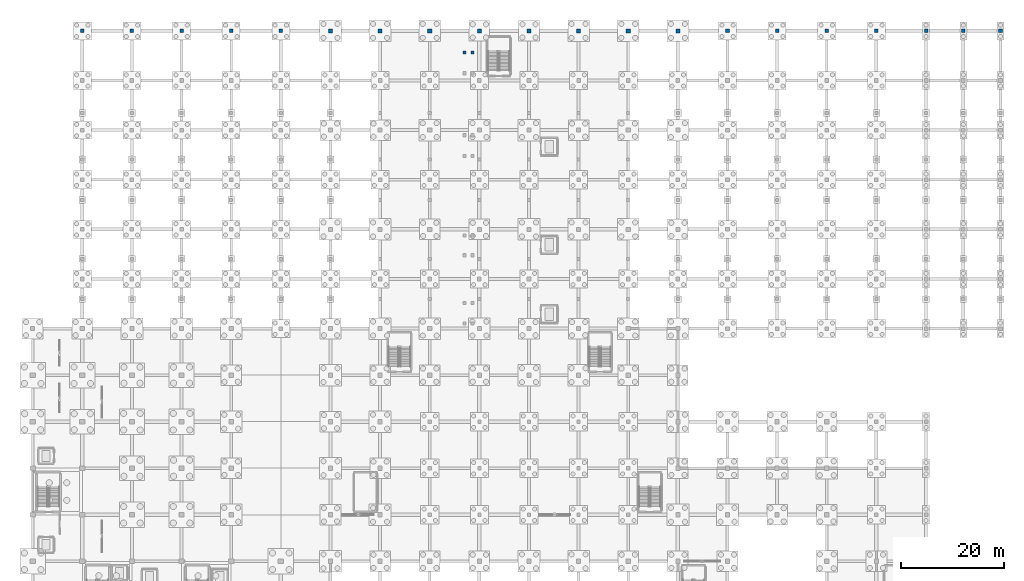
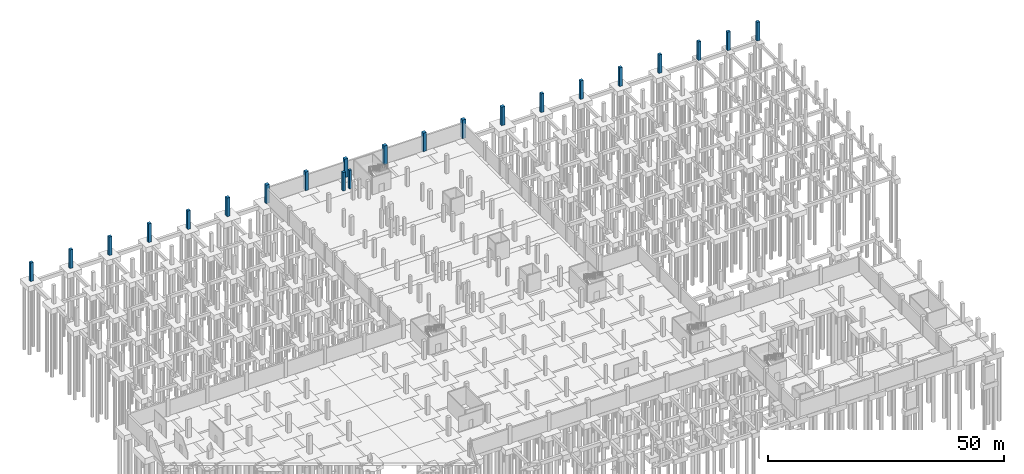
# One storey, part 21 of 39: 22 columns.
"""IFC4 building model written with IfcOpenShell, lengths in metres."""

import ifcopenshell
import ifcopenshell.guid

model = None  # the IFC model being written
_history = None  # IfcOwnerHistory: only IFC2X3 demands one
_inside = {}  # id of a spatial element -> (the spatial element, [elements in it])
_under = {}  # id of a project, library or spatial element -> (it, [spatial elements below it])
_declared = {}  # id of a project -> (the project, [libraries it declares])
_typed = {}  # id of a type object -> (the type object, [elements of that type])
_made_of = {}  # id of a material, layer set ... -> (it, [elements and type objects made of it])


def new_model(schema):
    """Start an empty IFC model of exactly this schema.

    Asked for "IFC4X3", IfcOpenShell would pick the latest addendum, in which some entities
    have other attributes; the version numbers below select the first issue.
    IFC2X3 requires an IfcOwnerHistory on every rooted entity: one is made here for all.
    """
    global model, _history
    if schema == "IFC4X3":
        model = ifcopenshell.file(schema_version=(4, 3, 0, 0))
    else:
        model = ifcopenshell.file(schema=schema)
    _inside.clear()
    _under.clear()
    _declared.clear()
    _typed.clear()
    _made_of.clear()
    _history = None
    if model.schema == "IFC2X3":
        org = make("IfcOrganization", Name="unknown")
        user = make(
            "IfcPersonAndOrganization",
            ThePerson=make("IfcPerson", FamilyName="unknown"),
            TheOrganization=org,
        )
        app = make(
            "IfcApplication",
            ApplicationDeveloper=org,
            Version="unknown",
            ApplicationFullName="unknown",
            ApplicationIdentifier="unknown",
        )
        _history = make(
            "IfcOwnerHistory",
            OwningUser=user,
            OwningApplication=app,
            ChangeAction="ADDED",
            CreationDate=0,
        )
    return model


def make(cls, **values):
    """One entity of the class cls with the attributes given. An attribute that is None is left unset."""
    return model.create_entity(
        cls, **{name: value for name, value in values.items() if value is not None}
    )


def rooted(cls, **values):
    """An entity with a GlobalId (a new one), such as an element, a storey or a relation."""
    return make(cls, GlobalId=ifcopenshell.guid.new(), OwnerHistory=_history, **values)


def si_unit(unit_type, name, prefix=None):
    """IfcSIUnit, for example si_unit("LENGTHUNIT", "METRE", prefix="MILLI")."""
    return make("IfcSIUnit", UnitType=unit_type, Prefix=prefix, Name=name)


def assignment(units):
    """IfcUnitAssignment: the units of a project."""
    return None if units is None else make("IfcUnitAssignment", Units=units)


def point(xyz):
    """IfcCartesianPoint."""
    return None if xyz is None else make("IfcCartesianPoint", Coordinates=xyz)


def direction(xyz):
    """IfcDirection."""
    return None if xyz is None else make("IfcDirection", DirectionRatios=xyz)


def frame(location, z_axis=None, x_axis=None):
    """IfcAxis2Placement3D, a coordinate frame: its origin and axes. An axis left out is left unset."""
    return make(
        "IfcAxis2Placement3D",
        Location=point(location),
        Axis=direction(z_axis),
        RefDirection=direction(x_axis),
    )


def frame_2d(location, x_axis=None):
    """IfcAxis2Placement2D, a coordinate frame in the plane: its origin and x axis."""
    return make(
        "IfcAxis2Placement2D", Location=point(location), RefDirection=direction(x_axis)
    )


def origin():
    """The frame at (0, 0, 0) with its axes left unset."""
    return frame((0.0, 0.0, 0.0))


def origin_2d():
    """The frame at (0, 0) in the plane with its x axis left unset."""
    return frame_2d((0.0, 0.0))


def place(relative_to, where):
    """IfcLocalPlacement: puts the frame where relative to a parent placement (None: the world)."""
    return make(
        "IfcLocalPlacement", PlacementRelTo=relative_to, RelativePlacement=where
    )


def context(
    kind, dimensions, precision=None, world=None, true_north=None, identifier=None
):
    """IfcGeometricRepresentationContext, for example the 3D "Model" context."""
    return make(
        "IfcGeometricRepresentationContext",
        ContextIdentifier=identifier,
        ContextType=kind,
        CoordinateSpaceDimension=dimensions,
        Precision=precision,
        WorldCoordinateSystem=world,
        TrueNorth=true_north,
    )


def subcontext(parent, identifier, kind, view, scale=None):
    """IfcGeometricRepresentationSubContext, for example "Body" below "Model"."""
    return make(
        "IfcGeometricRepresentationSubContext",
        ContextIdentifier=identifier,
        ContextType=kind,
        ParentContext=parent,
        TargetScale=scale,
        TargetView=view,
    )


def project(units=None, contexts=None):
    """IfcProject with its units and contexts."""
    return rooted(
        "IfcProject",
        Name="project",
        RepresentationContexts=contexts,
        UnitsInContext=assignment(units),
    )


def spatial(cls, under=None, at=None, **own):
    """A site, building, storey or space (cls), placed at a placement, below another one or the project."""
    s = rooted(cls, ObjectPlacement=at, **own)
    if under is not None:
        _under.setdefault(under.id(), (under, []))[1].append(s)
    return s


def profile(cls, at=None, kind="AREA", **sizes):
    """A parametric profile (cls). Its sizes go by their IFC names, for example OverallWidth=200.0."""
    return make(cls, ProfileType=kind, Position=at, **sizes)


def rectangle(**sizes):
    """IfcRectangleProfileDef."""
    return profile("IfcRectangleProfileDef", **sizes)


def extrude(swept, where, along, depth):
    """IfcExtrudedAreaSolid: the profile swept, set in the frame where, extruded along a direction by depth."""
    return make(
        "IfcExtrudedAreaSolid",
        SweptArea=swept,
        Position=where,
        ExtrudedDirection=direction(along),
        Depth=depth,
    )


def shape(context_of_items, identifier, shape_type, items):
    """IfcShapeRepresentation: the items that make up one representation, for example the "Body"."""
    return make(
        "IfcShapeRepresentation",
        ContextOfItems=context_of_items,
        RepresentationIdentifier=identifier,
        RepresentationType=shape_type,
        Items=items,
    )


def material(Name=None, Category=None):
    """IfcMaterial."""
    return make("IfcMaterial", Name=Name, Category=Category)


def material_profile(
    of_material, cross_section, Name=None, Category=None, Priority=None
):
    """IfcMaterialProfile: a cross section and its material."""
    return make(
        "IfcMaterialProfile",
        Name=Name,
        Material=of_material,
        Profile=cross_section,
        Priority=Priority,
        Category=Category,
    )


def profile_set(profiles, Name=None, composite=None):
    """IfcMaterialProfileSet."""
    return make(
        "IfcMaterialProfileSet",
        Name=Name,
        MaterialProfiles=profiles,
        CompositeProfile=composite,
    )


def made_of(thing, what):
    """Note that an element or type object is made of a material, layer set ...; save() writes the relation."""
    if what is not None:
        _made_of.setdefault(what.id(), (what, []))[1].append(thing)
    return thing


def type_object(cls, material=None, **own):
    """A type object (cls), such as IfcWallType, which elements share."""
    return made_of(rooted(cls, **own), material)


def element(
    cls,
    number,
    at=None,
    inside=None,
    cuts=None,
    type_object=None,
    material=None,
    context=None,
    identifier="Body",
    shape_type=None,
    held_by="IfcProductDefinitionShape",
    body=None,
    shapes=None,
    **own,
):
    """One element of the class cls, such as IfcWall. Its Tag is "e" and its number.

    at: its placement. inside: the storey or other place that contains it. cuts: it is an
    opening in that element (IfcRelVoidsElement). A single representation is given by context,
    identifier, shape_type and body (its items); several are given by shapes. held_by: the class
    of the entity that holds the representations. save() writes the other relations.
    """
    e = rooted(cls, Tag="e%d" % number, ObjectPlacement=at, **own)
    if body is not None:
        shapes = [shape(context, identifier, shape_type, body)]
    if shapes is not None:
        e.Representation = make(held_by, Representations=shapes)
    if inside is not None:
        _inside.setdefault(inside.id(), (inside, []))[1].append(e)
    if cuts is not None:
        rooted(
            "IfcRelVoidsElement", RelatingBuildingElement=cuts, RelatedOpeningElement=e
        )
    if type_object is not None:
        _typed.setdefault(type_object.id(), (type_object, []))[1].append(e)
    return made_of(e, material)


def aggregate(whole, parts):
    """IfcRelAggregates: a whole, such as a stair, and the parts it consists of."""
    return rooted("IfcRelAggregates", RelatingObject=whole, RelatedObjects=parts)


def save(model, path):
    """Write the relations noted so far, then the file.

    IfcRelAggregates (storeys below a building ...), IfcRelContainedInSpatialStructure (elements
    in a storey), IfcRelDefinesByType, IfcRelAssociatesMaterial and IfcRelDeclares: one each for
    every whole, place, type object, material and project.
    """
    for whole, parts in _under.values():
        aggregate(whole, parts)
    for where, things in _inside.values():
        rooted(
            "IfcRelContainedInSpatialStructure",
            RelatedElements=things,
            RelatingStructure=where,
        )
    for kind, things in _typed.values():
        rooted("IfcRelDefinesByType", RelatedObjects=things, RelatingType=kind)
    for what, things in _made_of.values():
        rooted("IfcRelAssociatesMaterial", RelatedObjects=things, RelatingMaterial=what)
    for by, libraries in _declared.values():
        rooted("IfcRelDeclares", RelatingContext=by, RelatedDefinitions=libraries)
    model.write(path)


model = new_model("IFC4")

# Units and contexts
model_context = context("Model", 3, precision=1e-05, world=origin(), true_north=direction((0.0, 1.0)))
body_context = subcontext(model_context, "Body", "Model", "MODEL_VIEW")
ifc_project = project(units=[si_unit("LENGTHUNIT", "METRE"), si_unit("AREAUNIT", "SQUARE_METRE"), si_unit("VOLUMEUNIT", "CUBIC_METRE"), si_unit("PLANEANGLEUNIT", "RADIAN"), si_unit("MASSUNIT", "GRAM", prefix="KILO")], contexts=[model_context])

# Site, building, storey
site_placement = place(None, origin())
site = spatial("IfcSite", under=ifc_project, at=site_placement, CompositionType="ELEMENT")
building_placement = place(site_placement, origin())
building = spatial("IfcBuilding", under=site, at=building_placement, Name="Zarnetskaya Central Station", CompositionType="ELEMENT")
storey_placement = place(building_placement, frame((0.0, 0.0, -4.800048828125)))
storey = spatial("IfcBuildingStorey", under=building, at=storey_placement, Name="B1", CompositionType="ELEMENT", Elevation=-4.800048828125)

# Columns
ifc_material = material(Name="Concrete C35/45", Category="concrete")
ifc_material_profile_1 = material_profile(ifc_material, rectangle(XDim=0.800048828125, YDim=0.800048828125, at=origin_2d()), Name="RC 800x800")
ifc_profile_set_1 = profile_set([ifc_material_profile_1], Name="Concrete C35/45")
column_type_1 = type_object("IfcColumnType", Name="COL-B1-PIER3", PredefinedType="COLUMN", material=ifc_profile_set_1)
for number, where, z_axis, x_axis, name in (
    (1, (57.60009765625, 124.800048828125, 0.0), (0.0, 0.0, 1.0), (1.0, 0.0, 0.0), "Column G15 B1"),
    (2, (67.199951171875, 124.800048828125, 0.0), (0.0, 0.0, 1.0), (1.0, 0.0, 0.0), "Column H15 B1"),
    (3, (76.800048828125, 124.800048828125, 0.0), (0.0, 0.0, 1.0), (1.0, 0.0, 0.0), "Column J15 B1"),
    (4, (86.39990234375, 124.800048828125, 0.0), (0.0, 0.0, 1.0), (1.0, 0.0, 0.0), "Column K15 B1"),
    (5, (96.0, 124.800048828125, 0.0), (0.0, 0.0, 1.0), (1.0, 0.0, 0.0), "Column L15 B1"),
    (6, (105.60009765625, 124.800048828125, 0.0), (0.0, 0.0, 1.0), (1.0, 0.0, 0.0), "Column M15 B1"),
    (7, (115.199951171875, 124.800048828125, 0.0), (0.0, 0.0, 1.0), (1.0, 0.0, 0.0), "Column N15 B1"),
    (8, (124.800048828125, 124.800048828125, 0.0), (0.0, 0.0, 1.0), (1.0, 0.0, 0.0), "Column P15 B1"),
):
    element("IfcColumn", number, at=place(storey_placement, frame(where, z_axis=z_axis, x_axis=x_axis)), inside=storey, type_object=column_type_1, Name=name, PredefinedType="COLUMN", context=body_context, shape_type="SweptSolid", body=[
        extrude(rectangle(XDim=0.800048828125, YDim=0.800048828125, at=origin_2d()), origin(), (0.0, 0.0, 1.0), 4.800048828125),
    ])
ifc_material_profile_2 = material_profile(ifc_material, rectangle(XDim=0.699951171875, YDim=0.699951171875, at=origin_2d()), Name="RC 700x700")
ifc_profile_set_2 = profile_set([ifc_material_profile_2], Name="Concrete C35/45")
column_type_2 = type_object("IfcColumnType", Name="COL-B1-PIER4", PredefinedType="COLUMN", material=ifc_profile_set_2)
for number, where, z_axis, x_axis, name in (
    (9, (9.60009765625, 124.800048828125, 0.0), (0.0, 0.0, 1.0), (1.0, 0.0, 0.0), "Column B15 B1"),
    (10, (19.199951171875, 124.800048828125, 0.0), (0.0, 0.0, 1.0), (1.0, 0.0, 0.0), "Column C15 B1"),
    (11, (28.800048828125, 124.800048828125, 0.0), (0.0, 0.0, 1.0), (1.0, 0.0, 0.0), "Column D15 B1"),
    (12, (38.39990234375, 124.800048828125, 0.0), (0.0, 0.0, 1.0), (1.0, 0.0, 0.0), "Column E15 B1"),
    (13, (48.0, 124.800048828125, 0.0), (0.0, 0.0, 1.0), (1.0, 0.0, 0.0), "Column F15 B1"),
    (14, (134.39990234375, 124.800048828125, 0.0), (0.0, 0.0, 1.0), (1.0, 0.0, 0.0), "Column Q15 B1"),
    (15, (144.0, 124.800048828125, 0.0), (0.0, 0.0, 1.0), (1.0, 0.0, 0.0), "Column R15 B1"),
    (16, (153.60009765625, 124.800048828125, 0.0), (0.0, 0.0, 1.0), (1.0, 0.0, 0.0), "Column S15 B1"),
    (17, (163.199951171875, 124.800048828125, 0.0), (0.0, 0.0, 1.0), (1.0, 0.0, 0.0), "Column T15 B1"),
    (18, (172.800048828125, 124.800048828125, 0.0), (0.0, 0.0, 1.0), (1.0, 0.0, 0.0), "Column U15 B1"),
    (19, (180.0, 124.800048828125, 0.0), (0.0, 0.0, 1.0), (1.0, 0.0, 0.0), "Column V15 B1"),
    (20, (187.199951171875, 124.800048828125, 0.0), (0.0, 0.0, 1.0), (1.0, 0.0, 0.0), "Column W15 B1"),
):
    element("IfcColumn", number, at=place(storey_placement, frame(where, z_axis=z_axis, x_axis=x_axis)), inside=storey, type_object=column_type_2, Name=name, PredefinedType="COLUMN", context=body_context, shape_type="SweptSolid", body=[
        extrude(rectangle(XDim=0.699951171875, YDim=0.699951171875, at=origin_2d()), origin(), (0.0, 0.0, 1.0), 4.800048828125),
    ])
ifc_material_profile_3 = material_profile(ifc_material, rectangle(XDim=0.60009765625, YDim=0.60009765625, at=origin_2d()), Name="RC 600x600")
ifc_profile_set_3 = profile_set([ifc_material_profile_3], Name="Concrete C35/45")
column_type_3 = type_object("IfcColumnType", Name="COL-B1-PIER5", PredefinedType="COLUMN", material=ifc_profile_set_3)
for number, where, z_axis, x_axis, name in (
    (21, (83.530029296875, 120.60009765625, 0.0), (0.0, 0.0, 1.0), (1.0, 0.0, 0.0), "Stair ST-P4 substructure pier 12"),
    (22, (85.050048828125, 120.60009765625, 0.0), (0.0, 0.0, 1.0), (1.0, 0.0, 0.0), "Stair ST-P4 substructure pier 22"),
):
    element("IfcColumn", number, at=place(storey_placement, frame(where, z_axis=z_axis, x_axis=x_axis)), inside=storey, type_object=column_type_3, Name=name, PredefinedType="COLUMN", context=body_context, shape_type="SweptSolid", body=[
        extrude(rectangle(XDim=0.60009765625, YDim=0.60009765625, at=origin_2d()), origin(), (0.0, 0.0, 1.0), 4.800048828125),
    ])

save(model, "model.ifc")
